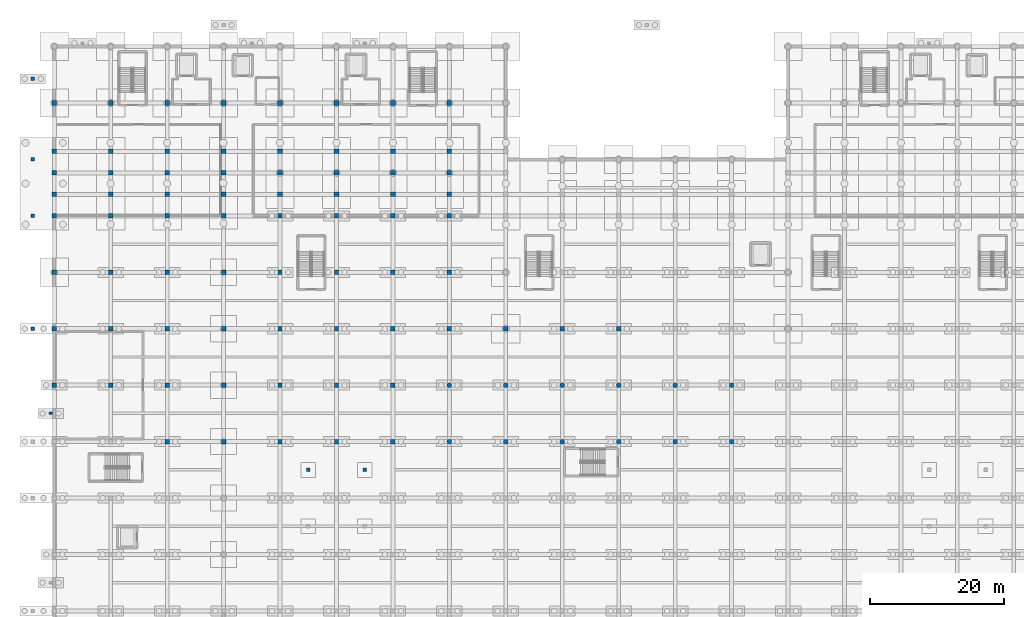
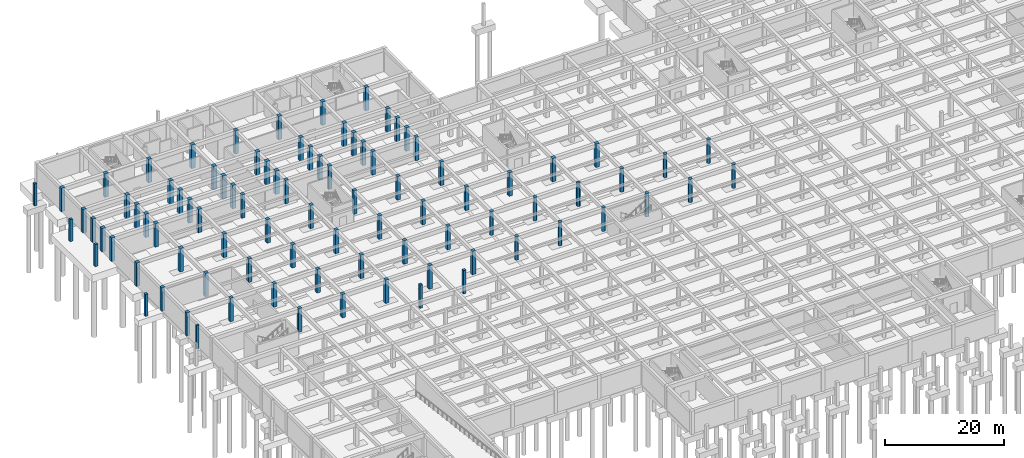
# One storey, part 10 of 51: 90 columns.
"""IFC4 building model written with IfcOpenShell, lengths in metres."""

from ifc_helpers import new_model, si_unit, direction, frame, origin, origin_2d, place, context, subcontext, project, spatial, rectangle, circle, extrude, material, material_profile, profile_set, type_object, element, save


model = new_model("IFC4")

# Units and contexts
model_context = context("Model", 3, precision=1e-05, world=origin(), true_north=direction((0.0, 1.0)))
body_context = subcontext(model_context, "Body", "Model", "MODEL_VIEW")
ifc_project = project(units=[si_unit("LENGTHUNIT", "METRE"), si_unit("AREAUNIT", "SQUARE_METRE"), si_unit("VOLUMEUNIT", "CUBIC_METRE"), si_unit("PLANEANGLEUNIT", "RADIAN"), si_unit("MASSUNIT", "GRAM", prefix="KILO")], contexts=[model_context])

# Site, building, storey
site_placement = place(None, origin())
site = spatial("IfcSite", under=ifc_project, at=site_placement, CompositionType="ELEMENT")
building_placement = place(site_placement, origin())
building = spatial("IfcBuilding", under=site, at=building_placement, Name="Varncliffe General Hospital", CompositionType="ELEMENT")
storey_placement = place(building_placement, frame((0.0, 0.0, -4.800048828125)))
storey = spatial("IfcBuildingStorey", under=building, at=storey_placement, Name="B1", CompositionType="ELEMENT", Elevation=-4.800048828125)

# Columns
ifc_material_1 = material(Name="Concrete C40/50 (CSA A23.1 40 MPa)", Category="concrete")
ifc_material_profile_1 = material_profile(ifc_material_1, rectangle(XDim=0.64990234375, YDim=0.64990234375, at=origin_2d()), Name="RC 650x650")
ifc_profile_set_1 = profile_set([ifc_material_profile_1], Name="Concrete C40/50 (CSA A23.1 40 MPa)")
column_type_1 = type_object("IfcColumnType", Name="Column C21 (Ext RC 650x650)", PredefinedType="COLUMN", material=ifc_profile_set_1)
for number, where, z_axis, x_axis, name in (
    (1, (0.0, 74.39990234375, 0.0), (0.0, 0.0, 1.0), (1.0, 0.0, 0.0), "B1 Column C21"),
    (2, (0.0, 82.800048828125, 0.0), (0.0, 0.0, 1.0), (1.0, 0.0, 0.0), "B1 Column C21"),
):
    element("IfcColumn", number, at=place(storey_placement, frame(where, z_axis=z_axis, x_axis=x_axis)), inside=storey, type_object=column_type_1, Name=name, PredefinedType="COLUMN", context=body_context, shape_type="SweptSolid", body=[
        extrude(rectangle(XDim=0.64990234375, YDim=0.64990234375, at=origin_2d()), origin(), (0.0, 0.0, 1.0), 4.800048828125),
    ])
ifc_material_profile_2 = material_profile(ifc_material_1, circle(Radius=0.35009765625, at=origin_2d()), Name="RC D700")
ifc_profile_set_2 = profile_set([ifc_material_profile_2], Name="Concrete C40/50 (CSA A23.1 40 MPa)")
column_type_2 = type_object("IfcColumnType", Name="Column C25 (Int RC D700)", PredefinedType="COLUMN", material=ifc_profile_set_2)
for number, where, z_axis, x_axis, name in (
    (3, (58.800048828125, 66.0, 0.0), (0.0, 0.0, 1.0), (1.0, 0.0, 0.0), "B1 Column C25"),
    (4, (58.800048828125, 74.39990234375, 0.0), (0.0, 0.0, 1.0), (1.0, 0.0, 0.0), "B1 Column C25"),
    (5, (67.199951171875, 66.0, 0.0), (0.0, 0.0, 1.0), (1.0, 0.0, 0.0), "B1 Column C25"),
    (6, (67.199951171875, 74.39990234375, 0.0), (0.0, 0.0, 1.0), (1.0, 0.0, 0.0), "B1 Column C25"),
    (7, (75.60009765625, 66.0, 0.0), (0.0, 0.0, 1.0), (1.0, 0.0, 0.0), "B1 Column C25"),
    (8, (75.60009765625, 74.39990234375, 0.0), (0.0, 0.0, 1.0), (1.0, 0.0, 0.0), "B1 Column C25"),
    (9, (84.0, 66.0, 0.0), (0.0, 0.0, 1.0), (1.0, 0.0, 0.0), "B1 Column C25"),
    (10, (84.0, 74.39990234375, 0.0), (0.0, 0.0, 1.0), (1.0, 0.0, 0.0), "B1 Column C25"),
    (11, (92.39990234375, 66.0, 0.0), (0.0, 0.0, 1.0), (1.0, 0.0, 0.0), "B1 Column C25"),
    (12, (92.39990234375, 74.39990234375, 0.0), (0.0, 0.0, 1.0), (1.0, 0.0, 0.0), "B1 Column C25"),
    (13, (100.800048828125, 66.0, 0.0), (0.0, 0.0, 1.0), (1.0, 0.0, 0.0), "B1 Column C25"),
    (14, (100.800048828125, 74.39990234375, 0.0), (0.0, 0.0, 1.0), (1.0, 0.0, 0.0), "B1 Column C25"),
):
    element("IfcColumn", number, at=place(storey_placement, frame(where, z_axis=z_axis, x_axis=x_axis)), inside=storey, type_object=column_type_2, Name=name, PredefinedType="COLUMN", context=body_context, shape_type="SweptSolid", body=[
        extrude(circle(Radius=0.35009765625, at=origin_2d()), origin(), (0.0, 0.0, 1.0), 4.800048828125),
    ])
ifc_material_profile_3 = material_profile(ifc_material_1, rectangle(XDim=0.64990234375, YDim=0.64990234375, at=origin_2d()), Name="RC 650x650")
ifc_profile_set_3 = profile_set([ifc_material_profile_3], Name="Concrete C40/50 (CSA A23.1 40 MPa)")
column_type_3 = type_object("IfcColumnType", Name="Column C29 (Int RC 650x650)", PredefinedType="COLUMN", material=ifc_profile_set_3)
for number, where, z_axis, x_axis, name in (
    (15, (8.39990234375, 74.39990234375, 0.0), (0.0, 0.0, 1.0), (1.0, 0.0, 0.0), "B1 Column C29"),
    (16, (8.39990234375, 82.800048828125, 0.0), (0.0, 0.0, 1.0), (1.0, 0.0, 0.0), "B1 Column C29"),
    (17, (16.800048828125, 66.0, 0.0), (0.0, 0.0, 1.0), (1.0, 0.0, 0.0), "B1 Column C29"),
    (18, (16.800048828125, 74.39990234375, 0.0), (0.0, 0.0, 1.0), (1.0, 0.0, 0.0), "B1 Column C29"),
    (19, (16.800048828125, 82.800048828125, 0.0), (0.0, 0.0, 1.0), (1.0, 0.0, 0.0), "B1 Column C29"),
    (20, (25.199951171875, 66.0, 0.0), (0.0, 0.0, 1.0), (1.0, 0.0, 0.0), "B1 Column C29"),
    (21, (25.199951171875, 74.39990234375, 0.0), (0.0, 0.0, 1.0), (1.0, 0.0, 0.0), "B1 Column C29"),
    (22, (25.199951171875, 82.800048828125, 0.0), (0.0, 0.0, 1.0), (1.0, 0.0, 0.0), "B1 Column C29"),
    (23, (25.199951171875, 91.199951171875, 0.0), (0.0, 0.0, 1.0), (1.0, 0.0, 0.0), "B1 Column C29"),
    (24, (25.199951171875, 99.60009765625, 0.0), (0.0, 0.0, 1.0), (1.0, 0.0, 0.0), "B1 Column C29"),
    (25, (33.60009765625, 66.0, 0.0), (0.0, 0.0, 1.0), (1.0, 0.0, 0.0), "B1 Column C29"),
    (26, (33.60009765625, 74.39990234375, 0.0), (0.0, 0.0, 1.0), (1.0, 0.0, 0.0), "B1 Column C29"),
    (27, (33.60009765625, 82.800048828125, 0.0), (0.0, 0.0, 1.0), (1.0, 0.0, 0.0), "B1 Column C29"),
    (28, (33.60009765625, 91.199951171875, 0.0), (0.0, 0.0, 1.0), (1.0, 0.0, 0.0), "B1 Column C29"),
    (29, (33.60009765625, 99.60009765625, 0.0), (0.0, 0.0, 1.0), (1.0, 0.0, 0.0), "B1 Column C29"),
    (30, (42.0, 66.0, 0.0), (0.0, 0.0, 1.0), (1.0, 0.0, 0.0), "B1 Column C29"),
    (31, (42.0, 74.39990234375, 0.0), (0.0, 0.0, 1.0), (1.0, 0.0, 0.0), "B1 Column C29"),
    (32, (42.0, 82.800048828125, 0.0), (0.0, 0.0, 1.0), (1.0, 0.0, 0.0), "B1 Column C29"),
    (33, (42.0, 91.199951171875, 0.0), (0.0, 0.0, 1.0), (1.0, 0.0, 0.0), "B1 Column C29"),
    (34, (42.0, 99.60009765625, 0.0), (0.0, 0.0, 1.0), (1.0, 0.0, 0.0), "B1 Column C29"),
    (35, (50.39990234375, 66.0, 0.0), (0.0, 0.0, 1.0), (1.0, 0.0, 0.0), "B1 Column C29"),
    (36, (50.39990234375, 74.39990234375, 0.0), (0.0, 0.0, 1.0), (1.0, 0.0, 0.0), "B1 Column C29"),
    (37, (50.39990234375, 82.800048828125, 0.0), (0.0, 0.0, 1.0), (1.0, 0.0, 0.0), "B1 Column C29"),
    (38, (50.39990234375, 91.199951171875, 0.0), (0.0, 0.0, 1.0), (1.0, 0.0, 0.0), "B1 Column C29"),
    (39, (50.39990234375, 99.60009765625, 0.0), (0.0, 0.0, 1.0), (1.0, 0.0, 0.0), "B1 Column C29"),
    (40, (58.800048828125, 82.800048828125, 0.0), (0.0, 0.0, 1.0), (1.0, 0.0, 0.0), "B1 Column C29"),
    (41, (58.800048828125, 91.199951171875, 0.0), (0.0, 0.0, 1.0), (1.0, 0.0, 0.0), "B1 Column C29"),
    (42, (58.800048828125, 99.60009765625, 0.0), (0.0, 0.0, 1.0), (1.0, 0.0, 0.0), "B1 Column C29"),
):
    element("IfcColumn", number, at=place(storey_placement, frame(where, z_axis=z_axis, x_axis=x_axis)), inside=storey, type_object=column_type_3, Name=name, PredefinedType="COLUMN", context=body_context, shape_type="SweptSolid", body=[
        extrude(rectangle(XDim=0.64990234375, YDim=0.64990234375, at=origin_2d()), origin(), (0.0, 0.0, 1.0), 4.800048828125),
    ])
ifc_material_profile_4 = material_profile(ifc_material_1, rectangle(XDim=0.699951171875, YDim=0.699951171875, at=origin_2d()), Name="RC 700x700")
ifc_profile_set_4 = profile_set([ifc_material_profile_4], Name="Concrete C40/50 (CSA A23.1 40 MPa)")
column_type_4 = type_object("IfcColumnType", Name="Column C50 (Int RC 700x700)", PredefinedType="COLUMN", material=ifc_profile_set_4)
for number, where, z_axis, x_axis, name in (
    (43, (8.39990234375, 91.199951171875, 0.0), (0.0, 0.0, 1.0), (1.0, 0.0, 0.0), "B1 Column C50"),
    (44, (8.39990234375, 99.60009765625, 0.0), (0.0, 0.0, 1.0), (1.0, 0.0, 0.0), "B1 Column C50"),
    (45, (8.39990234375, 102.800048828125, 0.0), (0.0, 0.0, 1.0), (1.0, 0.0, 0.0), "B1 Column C50"),
    (46, (8.39990234375, 106.0, 0.0), (0.0, 0.0, 1.0), (1.0, 0.0, 0.0), "B1 Column C50"),
    (47, (8.39990234375, 109.199951171875, 0.0), (0.0, 0.0, 1.0), (1.0, 0.0, 0.0), "B1 Column C50"),
    (48, (8.39990234375, 116.39990234375, 0.0), (0.0, 0.0, 1.0), (1.0, 0.0, 0.0), "B1 Column C50"),
    (49, (16.800048828125, 91.199951171875, 0.0), (0.0, 0.0, 1.0), (1.0, 0.0, 0.0), "B1 Column C50"),
    (50, (16.800048828125, 99.60009765625, 0.0), (0.0, 0.0, 1.0), (1.0, 0.0, 0.0), "B1 Column C50"),
    (51, (16.800048828125, 102.800048828125, 0.0), (0.0, 0.0, 1.0), (1.0, 0.0, 0.0), "B1 Column C50"),
    (52, (16.800048828125, 106.0, 0.0), (0.0, 0.0, 1.0), (1.0, 0.0, 0.0), "B1 Column C50"),
    (53, (16.800048828125, 109.199951171875, 0.0), (0.0, 0.0, 1.0), (1.0, 0.0, 0.0), "B1 Column C50"),
    (54, (16.800048828125, 116.39990234375, 0.0), (0.0, 0.0, 1.0), (1.0, 0.0, 0.0), "B1 Column C50"),
    (55, (25.199951171875, 102.800048828125, 0.0), (0.0, 0.0, 1.0), (1.0, 0.0, 0.0), "B1 Column C50"),
    (56, (25.199951171875, 106.0, 0.0), (0.0, 0.0, 1.0), (1.0, 0.0, 0.0), "B1 Column C50"),
    (57, (25.199951171875, 109.199951171875, 0.0), (0.0, 0.0, 1.0), (1.0, 0.0, 0.0), "B1 Column C50"),
    (58, (25.199951171875, 116.39990234375, 0.0), (0.0, 0.0, 1.0), (1.0, 0.0, 0.0), "B1 Column C50"),
    (59, (33.60009765625, 102.800048828125, 0.0), (0.0, 0.0, 1.0), (1.0, 0.0, 0.0), "B1 Column C50"),
    (60, (33.60009765625, 106.0, 0.0), (0.0, 0.0, 1.0), (1.0, 0.0, 0.0), "B1 Column C50"),
    (61, (33.60009765625, 109.199951171875, 0.0), (0.0, 0.0, 1.0), (1.0, 0.0, 0.0), "B1 Column C50"),
    (62, (33.60009765625, 116.39990234375, 0.0), (0.0, 0.0, 1.0), (1.0, 0.0, 0.0), "B1 Column C50"),
    (63, (42.0, 102.800048828125, 0.0), (0.0, 0.0, 1.0), (1.0, 0.0, 0.0), "B1 Column C50"),
    (64, (42.0, 106.0, 0.0), (0.0, 0.0, 1.0), (1.0, 0.0, 0.0), "B1 Column C50"),
    (65, (42.0, 109.199951171875, 0.0), (0.0, 0.0, 1.0), (1.0, 0.0, 0.0), "B1 Column C50"),
    (66, (42.0, 116.39990234375, 0.0), (0.0, 0.0, 1.0), (1.0, 0.0, 0.0), "B1 Column C50"),
    (67, (50.39990234375, 102.800048828125, 0.0), (0.0, 0.0, 1.0), (1.0, 0.0, 0.0), "B1 Column C50"),
    (68, (50.39990234375, 106.0, 0.0), (0.0, 0.0, 1.0), (1.0, 0.0, 0.0), "B1 Column C50"),
    (69, (50.39990234375, 109.199951171875, 0.0), (0.0, 0.0, 1.0), (1.0, 0.0, 0.0), "B1 Column C50"),
    (70, (50.39990234375, 116.39990234375, 0.0), (0.0, 0.0, 1.0), (1.0, 0.0, 0.0), "B1 Column C50"),
    (71, (58.800048828125, 102.800048828125, 0.0), (0.0, 0.0, 1.0), (1.0, 0.0, 0.0), "B1 Column C50"),
    (72, (58.800048828125, 106.0, 0.0), (0.0, 0.0, 1.0), (1.0, 0.0, 0.0), "B1 Column C50"),
    (73, (58.800048828125, 109.199951171875, 0.0), (0.0, 0.0, 1.0), (1.0, 0.0, 0.0), "B1 Column C50"),
    (74, (58.800048828125, 116.39990234375, 0.0), (0.0, 0.0, 1.0), (1.0, 0.0, 0.0), "B1 Column C50"),
    (75, (67.199951171875, 82.800048828125, 0.0), (0.0, 0.0, 1.0), (1.0, 0.0, 0.0), "B1 Column C50"),
    (76, (75.60009765625, 82.800048828125, 0.0), (0.0, 0.0, 1.0), (1.0, 0.0, 0.0), "B1 Column C50"),
    (77, (84.0, 82.800048828125, 0.0), (0.0, 0.0, 1.0), (1.0, 0.0, 0.0), "B1 Column C50"),
):
    element("IfcColumn", number, at=place(storey_placement, frame(where, z_axis=z_axis, x_axis=x_axis)), inside=storey, type_object=column_type_4, Name=name, PredefinedType="COLUMN", context=body_context, shape_type="SweptSolid", body=[
        extrude(rectangle(XDim=0.699951171875, YDim=0.699951171875, at=origin_2d()), origin(), (0.0, 0.0, 1.0), 4.800048828125),
    ])
ifc_material_profile_5 = material_profile(ifc_material_1, rectangle(XDim=0.699951171875, YDim=0.699951171875, at=origin_2d()), Name="RC 700x700")
ifc_profile_set_5 = profile_set([ifc_material_profile_5], Name="Concrete C40/50 (CSA A23.1 40 MPa)")
column_type_5 = type_object("IfcColumnType", Name="Column C54 (Ext RC 700x700)", PredefinedType="COLUMN", material=ifc_profile_set_5)
for number, where, z_axis, x_axis, name in (
    (78, (0.0, 91.199951171875, 0.0), (0.0, 0.0, 1.0), (1.0, 0.0, 0.0), "B1 Column C54"),
    (79, (0.0, 99.60009765625, 0.0), (0.0, 0.0, 1.0), (1.0, 0.0, 0.0), "B1 Column C54"),
    (80, (0.0, 102.800048828125, 0.0), (0.0, 0.0, 1.0), (1.0, 0.0, 0.0), "B1 Column C54"),
    (81, (0.0, 106.0, 0.0), (0.0, 0.0, 1.0), (1.0, 0.0, 0.0), "B1 Column C54"),
    (82, (0.0, 109.199951171875, 0.0), (0.0, 0.0, 1.0), (1.0, 0.0, 0.0), "B1 Column C54"),
    (83, (0.0, 116.39990234375, 0.0), (0.0, 0.0, 1.0), (1.0, 0.0, 0.0), "B1 Column C54"),
):
    element("IfcColumn", number, at=place(storey_placement, frame(where, z_axis=z_axis, x_axis=x_axis)), inside=storey, type_object=column_type_5, Name=name, PredefinedType="COLUMN", context=body_context, shape_type="SweptSolid", body=[
        extrude(rectangle(XDim=0.699951171875, YDim=0.699951171875, at=origin_2d()), origin(), (0.0, 0.0, 1.0), 4.800048828125),
    ])
ifc_material_profile_6 = material_profile(ifc_material_1, rectangle(XDim=0.5, YDim=0.5, at=origin_2d()), Name="RC 500x500")
ifc_profile_set_6 = profile_set([ifc_material_profile_6], Name="Concrete C40/50 (CSA A23.1 40 MPa)")
column_type_6 = type_object("IfcColumnType", Name="Column C65 (Ext RC 500x500)", PredefinedType="COLUMN", material=ifc_profile_set_6)
for number, where, z_axis, x_axis, name in (
    (84, (-3.199951171875, 82.800048828125, 0.0), (0.0, 0.0, 1.0), (1.0, 0.0, 0.0), "B1 Perimeter Walkway Support Pier"),
    (85, (-3.199951171875, 99.60009765625, 0.0), (0.0, 0.0, 1.0), (1.0, 0.0, 0.0), "B1 Perimeter Walkway Support Pier"),
    (86, (-3.199951171875, 108.0, 0.0), (0.0, 0.0, 1.0), (1.0, 0.0, 0.0), "B1 Perimeter Walkway Support Pier"),
    (87, (-3.199951171875, 120.0, 0.0), (0.0, 0.0, 1.0), (1.0, 0.0, 0.0), "B1 Perimeter Walkway Support Pier"),
):
    element("IfcColumn", number, at=place(storey_placement, frame(where, z_axis=z_axis, x_axis=x_axis)), inside=storey, type_object=column_type_6, Name=name, PredefinedType="COLUMN", context=body_context, shape_type="SweptSolid", body=[
        extrude(rectangle(XDim=0.5, YDim=0.5, at=origin_2d()), origin(), (0.0, 0.0, 1.0), 4.52001953125),
    ])
ifc_material_profile_7 = material_profile(ifc_material_1, rectangle(XDim=0.5, YDim=0.5, at=origin_2d()), Name="RC 500x500")
ifc_profile_set_7 = profile_set([ifc_material_profile_7], Name="Concrete C40/50 (CSA A23.1 40 MPa)")
column_type_7 = type_object("IfcColumnType", Name="Column C90 (Int RC 500x500)", PredefinedType="COLUMN", material=ifc_profile_set_7)
for number, where, z_axis, x_axis, name in (
    (88, (37.800048828125, 61.800048828125, 0.0), (0.0, 0.0, 1.0), (1.0, 0.0, 0.0), "B1 Cloister Support Pier 3"),
    (89, (46.199951171875, 61.800048828125, 0.0), (0.0, 0.0, 1.0), (1.0, 0.0, 0.0), "B1 Cloister Support Pier 4"),
):
    element("IfcColumn", number, at=place(storey_placement, frame(where, z_axis=z_axis, x_axis=x_axis)), inside=storey, type_object=column_type_7, Name=name, PredefinedType="COLUMN", context=body_context, shape_type="SweptSolid", body=[
        extrude(rectangle(XDim=0.5, YDim=0.5, at=origin_2d()), origin(), (0.0, 0.0, 1.0), 4.800048828125),
    ])
ifc_material_2 = material(Name="Precast concrete C40/50", Category="concrete")
ifc_material_profile_8 = material_profile(ifc_material_2, rectangle(XDim=0.449951171875, YDim=0.280029296875, at=origin_2d()), Name="PIL 450x280")
ifc_profile_set_8 = profile_set([ifc_material_profile_8], Name="Precast concrete C40/50")
column_type_8 = type_object("IfcColumnType", Name="Pilaster PL64 (PIL 450x280)", PredefinedType="PILASTER", material=ifc_profile_set_8)
column_placement = place(storey_placement, frame((-0.550048828125, 70.199951171875, 0.0), z_axis=(0.0, 0.0, 1.0), x_axis=(1.0, 0.0, 0.0)))
element("IfcColumn", 90, at=column_placement, inside=storey, type_object=column_type_8, Name="B1 Facade Pilaster PL64-7", PredefinedType="PILASTER", context=body_context, shape_type="SweptSolid", body=[
    extrude(rectangle(XDim=0.449951171875, YDim=0.280029296875, at=origin_2d()), origin(), (0.0, 0.0, 1.0), 4.800048828125),
])

save(model, "model.ifc")
